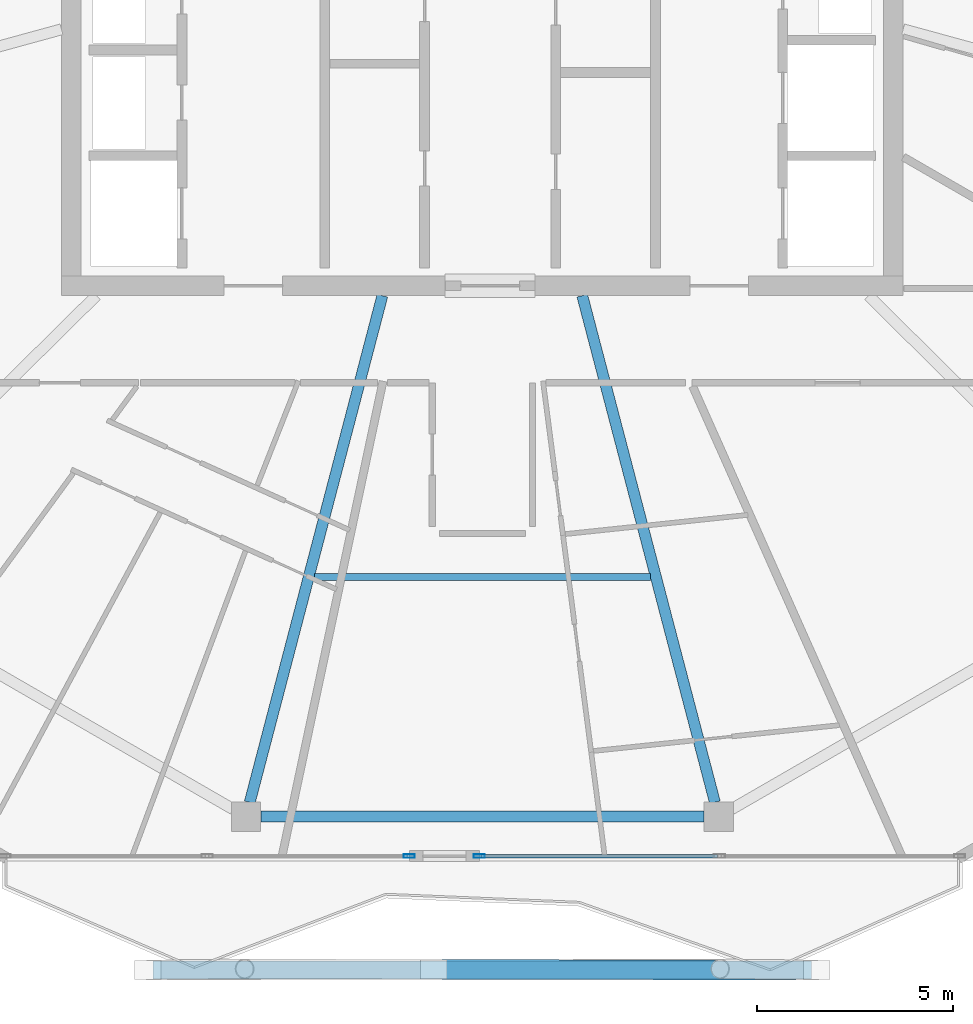
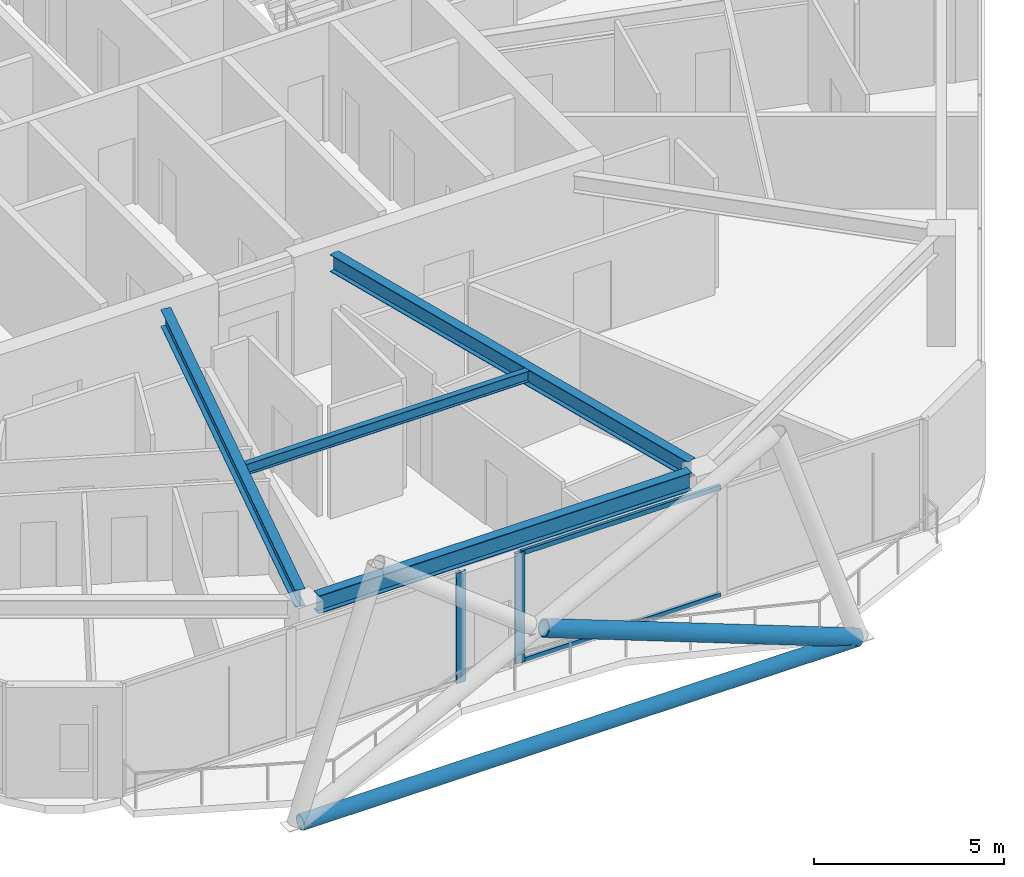
# One storey, part 4 of 23: 6 members, 4 beams, 2 elements without a shape of their own.
"""IFC4 building model written with IfcOpenShell, lengths in metres."""

from ifc_helpers import new_model, si_unit, direction, frame, origin, origin_2d, place, context, subcontext, project, spatial, hollow_rectangle, hollow_circle, i_section, extrude, material, material_profile, profile_set, type_object, element, aggregate, save


model = new_model("IFC4")

# Units and contexts
model_context = context("Model", 3, precision=1e-05, world=origin(), true_north=direction((0.0, 1.0)))
body_context = subcontext(model_context, "Body", "Model", "MODEL_VIEW")
ifc_project = project(units=[si_unit("LENGTHUNIT", "METRE"), si_unit("AREAUNIT", "SQUARE_METRE"), si_unit("VOLUMEUNIT", "CUBIC_METRE"), si_unit("PLANEANGLEUNIT", "RADIAN"), si_unit("MASSUNIT", "GRAM", prefix="KILO")], contexts=[model_context])

# Site, building, storey
site_placement = place(None, origin())
site = spatial("IfcSite", under=ifc_project, at=site_placement, CompositionType="ELEMENT")
building_placement = place(site_placement, origin())
building = spatial("IfcBuilding", under=site, at=building_placement, Name="Zuhravey Tower", CompositionType="ELEMENT")
storey_placement = place(building_placement, frame((0.0, 0.0, 346.199951171875)))
storey = spatial("IfcBuildingStorey", under=building, at=storey_placement, Name="L88", CompositionType="ELEMENT", Elevation=346.199951171875)

# Curtain wall, member
ifc_material_1 = material(Name="Thermally broken anodised aluminium", Category="aluminium")
curtain_wall_type = type_object("IfcCurtainWallType", Name="Zone 3-4 High-Rise Curtain Wall CW4", PredefinedType="NOTDEFINED", material=ifc_material_1)
curtain_wall_1_placement = place(storey_placement, origin())
curtain_wall_1 = element("IfcCurtainWall", 1, at=curtain_wall_1_placement, inside=storey, type_object=curtain_wall_type, Name="L88 CW4 CW-L88-F5-1", PredefinedType="NOTDEFINED")
ifc_material_2 = material(Name="Anodised aluminium", Category="aluminium")
ifc_material_profile_1 = material_profile(ifc_material_2, hollow_rectangle(XDim=0.090087890625, YDim=0.284912109375, WallThickness=0.0048828125, at=origin_2d()), Name="ALU-RHS-90x285x5")
ifc_profile_set_1 = profile_set([ifc_material_profile_1], Name="Anodised aluminium")
member_type_1 = type_object("IfcMemberType", Name="Curtain-Wall Mullion 90x180", PredefinedType="MULLION", material=ifc_profile_set_1)
member_1_placement = place(storey_placement, frame((35.923095703125, 7.92578125, 0.0), z_axis=(0.0, 0.0, 1.0), x_axis=(0.0, -1.0, 0.0)))
member_1 = element("IfcMember", 2, at=member_1_placement, type_object=member_type_1, Name="CW4 mullion 3", PredefinedType="MULLION", context=body_context, shape_type="SweptSolid", body=[
    extrude(hollow_rectangle(XDim=0.090087890625, YDim=0.284912109375, WallThickness=0.0048828125, at=origin_2d()), origin(), (0.0, 0.0, 1.0), 3.550048828125),
])

curtain_wall_2_placement = place(storey_placement, origin())
curtain_wall_2 = element("IfcCurtainWall", 3, at=curtain_wall_2_placement, inside=storey, type_object=curtain_wall_type, Name="L88 CW4 CW-L88-F5-2", PredefinedType="NOTDEFINED")
member_2_placement = place(storey_placement, frame((34.133056640625, 7.92578125, 0.0), z_axis=(0.0, 0.0, 1.0), x_axis=(0.0, -1.0, 0.0)))
member_2 = element("IfcMember", 4, at=member_2_placement, type_object=member_type_1, Name="CW4 mullion 1", PredefinedType="MULLION", context=body_context, shape_type="SweptSolid", body=[
    extrude(hollow_rectangle(XDim=0.090087890625, YDim=0.284912109375, WallThickness=0.0048828125, at=origin_2d()), origin(), (0.0, 0.0, 1.0), 3.550048828125),
])
aggregate(curtain_wall_2, [member_2])

# Member
ifc_material_profile_2 = material_profile(ifc_material_2, hollow_rectangle(XDim=0.090087890625, YDim=0.14990234375, WallThickness=0.0048828125, at=origin_2d()), Name="ALU-RHS-90x150x5")
ifc_profile_set_2 = profile_set([ifc_material_profile_2], Name="Anodised aluminium")
member_type_2 = type_object("IfcMemberType", Name="Curtain-Wall Transom 90x150", PredefinedType="USERDEFINED", material=ifc_profile_set_2)
member_3_placement = place(storey_placement, frame((42.013671875, 7.92578125, 0.045166015625), z_axis=(-1.0, 0.0, 0.0), x_axis=(0.0, -1.0, 0.0)))
member_3 = element("IfcMember", 5, at=member_3_placement, type_object=member_type_2, Name="CW4 transom 2.1", ObjectType="TRANSOM", PredefinedType="USERDEFINED", context=body_context, shape_type="SweptSolid", body=[
    extrude(hollow_rectangle(XDim=0.090087890625, YDim=0.14990234375, WallThickness=0.0048828125, at=origin_2d()), origin(), (0.0, 0.0, 1.0), 6.045654296875),
])

member_4_placement = place(storey_placement, frame((42.013671875, 7.92578125, 3.505126953125), z_axis=(-1.0, 0.0, 0.0), x_axis=(0.0, -1.0, 0.0)))
member_4 = element("IfcMember", 6, at=member_4_placement, type_object=member_type_2, Name="CW4 transom 2.2", ObjectType="TRANSOM", PredefinedType="USERDEFINED", context=body_context, shape_type="SweptSolid", body=[
    extrude(hollow_rectangle(XDim=0.090087890625, YDim=0.14990234375, WallThickness=0.0048828125, at=origin_2d()), origin(), (0.0, 0.0, 1.0), 6.045654296875),
])

aggregate(curtain_wall_1, [member_1, member_3, member_4])

# Members
ifc_material_3 = material(Name="Steel SM355", Category="steel")
ifc_material_profile_3 = material_profile(ifc_material_3, hollow_circle(Radius=0.228515625, WallThickness=0.02197265625, at=origin_2d()), Name="CHS-457.2x22")
ifc_profile_set_3 = profile_set([ifc_material_profile_3], Name="Steel SM355")
member_type_3 = type_object("IfcMemberType", Name="Exoskeleton Ring Tie CHS457x22", PredefinedType="CHORD", material=ifc_profile_set_3)
member_5_placement = place(storey_placement, frame((27.590576171875, 5.015869140625, -0.4638671875), z_axis=(1.0, 0.0, 0.0), x_axis=(0.0, 1.0, 0.0)))
element("IfcMember", 7, at=member_5_placement, inside=storey, type_object=member_type_3, Name="L88 Exoskeleton Face 5 Tie EXR1", PredefinedType="CHORD", context=body_context, shape_type="SweptSolid", body=[
    extrude(hollow_circle(Radius=0.228515625, WallThickness=0.02197265625, at=origin_2d()), origin(), (0.0, 0.0, 1.0), 16.81884765625),
])
ifc_material_profile_4 = material_profile(ifc_material_3, hollow_circle(Radius=0.25390625, WallThickness=0.02490234375, at=origin_2d()), Name="CHS-508.0x25")
ifc_profile_set_4 = profile_set([ifc_material_profile_4], Name="Steel SM355")
member_type_4 = type_object("IfcMemberType", Name="Exoskeleton Zone 4 Diagrid CHS508x25", PredefinedType="BRACE", material=ifc_profile_set_4)
member_6_placement = place(storey_placement, frame((44.5166015625, 5.015869140625, -0.451416015625), z_axis=(-0.934399902439, 0.001436286165, 0.356222906906), x_axis=(-0.001537119668, -0.999998818631, 0.0)))
element("IfcMember", 8, at=member_6_placement, inside=storey, type_object=member_type_4, Name="L88 Face 5 Split Diagrid Brace 3A", PredefinedType="BRACE", context=body_context, shape_type="SweptSolid", body=[
    extrude(hollow_circle(Radius=0.25390625, WallThickness=0.02490234375, at=origin_2d()), origin(), (0.0, 0.0, 1.0), 10.19873046875),
])

# Beams
ifc_material_profile_5 = material_profile(ifc_material_3, i_section(OverallWidth=0.280029296875, OverallDepth=0.580078125, WebThickness=0.011962890625, FlangeThickness=0.01904296875, at=origin_2d()), Name="H-580x280x12x19")
ifc_profile_set_5 = profile_set([ifc_material_profile_5], Name="Steel SM355")
beam_type_1 = type_object("IfcBeamType", Name="Perimeter Ring Beam H580x280", PredefinedType="BEAM", material=ifc_profile_set_5)
beam_1_placement = place(storey_placement, frame((30.33935546875, 8.935791015625, 3.260009765625), z_axis=(1.0, 0.0, 0.0), x_axis=(0.0, 1.0, 0.0)))
element("IfcBeam", 9, at=beam_1_placement, inside=storey, type_object=beam_type_1, Name="L88 PB4 BM-L88-PB-09", PredefinedType="BEAM", context=body_context, shape_type="SweptSolid", body=[
    extrude(i_section(OverallWidth=0.280029296875, OverallDepth=0.580078125, WebThickness=0.011962890625, FlangeThickness=0.01904296875, at=origin_2d()), origin(), (0.0, 0.0, 1.0), 11.3212890625),
])
ifc_material_profile_6 = material_profile(ifc_material_3, i_section(OverallWidth=0.280029296875, OverallDepth=0.550048828125, WebThickness=0.010986328125, FlangeThickness=0.01806640625, at=origin_2d()), Name="H-550x280x11x18")
ifc_profile_set_6 = profile_set([ifc_material_profile_6], Name="Steel SM355")
beam_type_2 = type_object("IfcBeamType", Name="Radial Primary Girder H550x280", PredefinedType="BEAM", material=ifc_profile_set_6)
for number, where, z_axis, x_axis, name in (
    (10, (33.446533203125, 22.2470703125, 3.275146484375), (-0.253282562653, -0.967392342049, 0.0), (0.967392342049, -0.253282562653, 0.0), "L88 RG4 BM-L88-RAD-09"),
    (11, (38.553466796875, 22.2470703125, 3.275146484375), (0.253282562653, -0.967392342049, 0.0), (0.967392342049, 0.253282562653, 0.0), "L88 RG4 BM-L88-RAD-10"),
):
    element("IfcBeam", number, at=place(storey_placement, frame(where, z_axis=z_axis, x_axis=x_axis)), inside=storey, type_object=beam_type_2, Name=name, PredefinedType="BEAM", context=body_context, shape_type="SweptSolid", body=[
        extrude(i_section(OverallWidth=0.280029296875, OverallDepth=0.550048828125, WebThickness=0.010986328125, FlangeThickness=0.01806640625, at=origin_2d()), origin(), (0.0, 0.0, 1.0), 13.3818359375),
    ])
ifc_material_profile_7 = material_profile(ifc_material_3, i_section(OverallWidth=0.175048828125, OverallDepth=0.35009765625, WebThickness=0.007080078125, FlangeThickness=0.010986328125, at=origin_2d()), Name="H-350x175x7x11")
ifc_profile_set_7 = profile_set([ifc_material_profile_7], Name="Steel SM355")
beam_type_3 = type_object("IfcBeamType", Name="Secondary Floor Joist H350x175", PredefinedType="JOIST", material=ifc_profile_set_7)
beam_2_placement = place(storey_placement, frame((31.70849609375, 15.05908203125, 3.375), z_axis=(1.0, 0.0, 0.0), x_axis=(0.0, 1.0, 0.0)))
element("IfcBeam", 12, at=beam_2_placement, inside=storey, type_object=beam_type_3, Name="L88 SJ3 BM-L88-SJ-09-1", PredefinedType="JOIST", context=body_context, shape_type="SweptSolid", body=[
    extrude(i_section(OverallWidth=0.175048828125, OverallDepth=0.35009765625, WebThickness=0.007080078125, FlangeThickness=0.010986328125, at=origin_2d()), origin(), (0.0, 0.0, 1.0), 8.5830078125),
])

save(model, "model.ifc")
